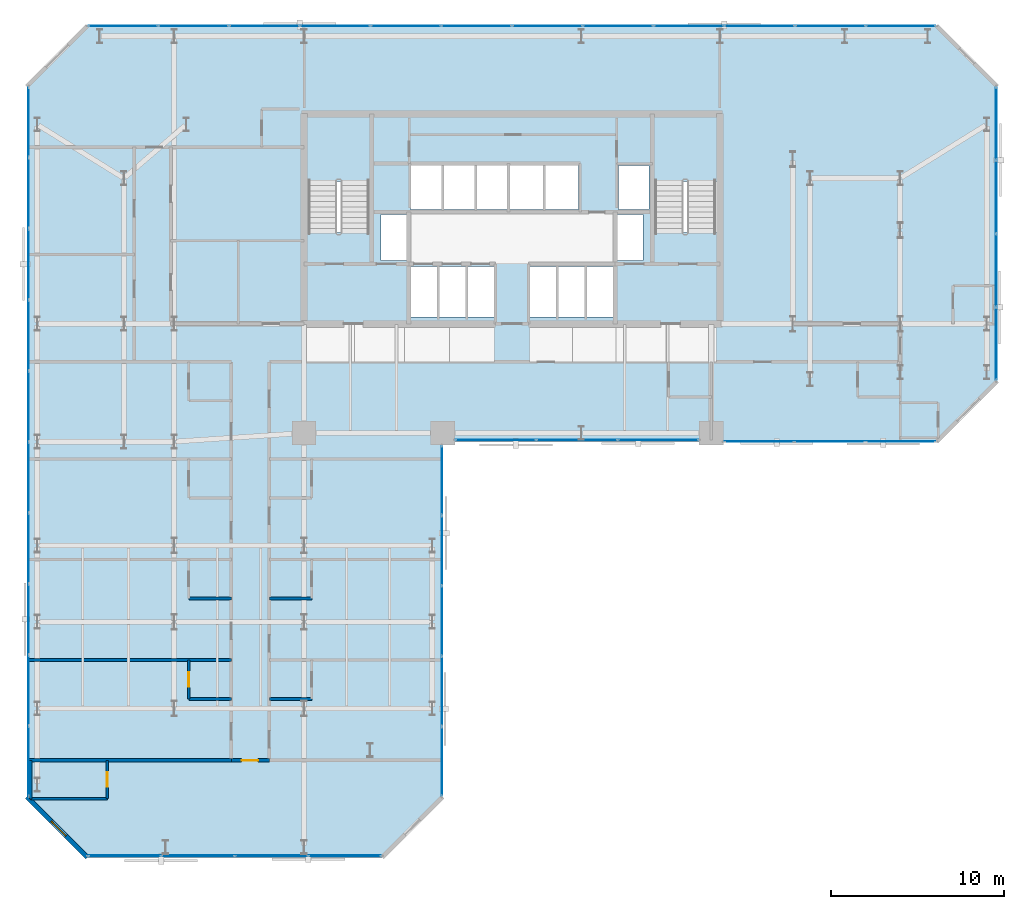
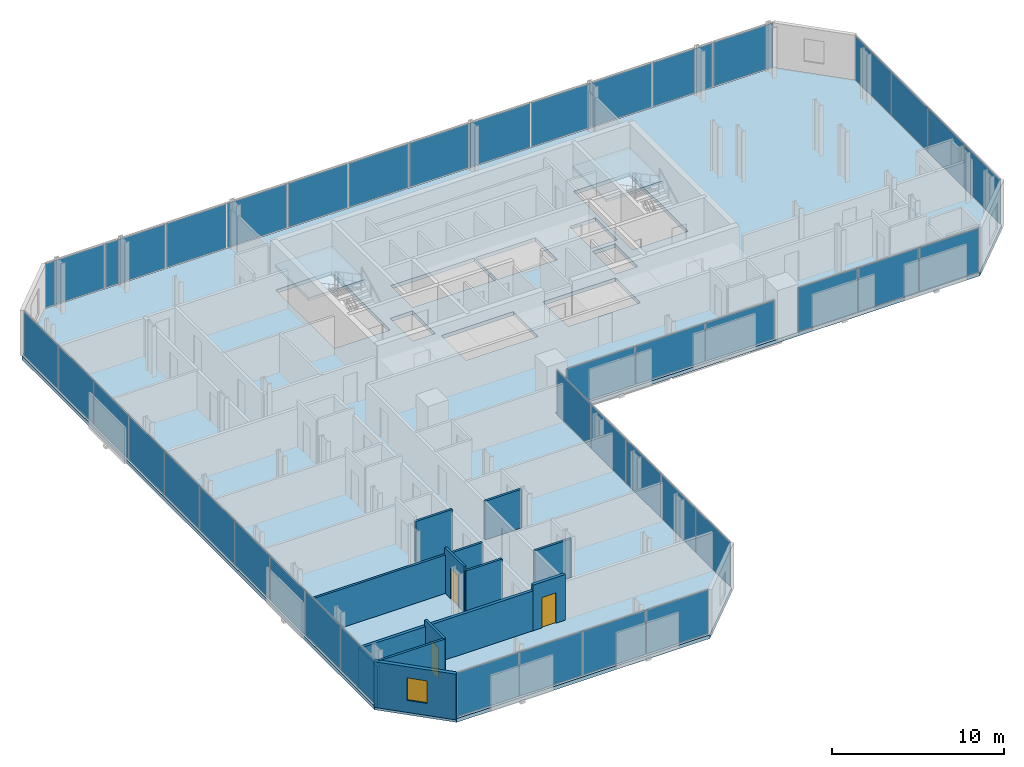
# One storey, part 28 of 33: 41 plates, 12 walls, 3 doors, 3 slabs, 1 window, 4 openings, 9 elements without a shape of their own.
"""IFC4 building model written with IfcOpenShell, lengths in metres."""

import ifcopenshell
import ifcopenshell.guid

model = None  # the IFC model being written
_history = None  # IfcOwnerHistory: only IFC2X3 demands one
_inside = {}  # id of a spatial element -> (the spatial element, [elements in it])
_under = {}  # id of a project, library or spatial element -> (it, [spatial elements below it])
_declared = {}  # id of a project -> (the project, [libraries it declares])
_typed = {}  # id of a type object -> (the type object, [elements of that type])
_made_of = {}  # id of a material, layer set ... -> (it, [elements and type objects made of it])


def new_model(schema):
    """Start an empty IFC model of exactly this schema.

    Asked for "IFC4X3", IfcOpenShell would pick the latest addendum, in which some entities
    have other attributes; the version numbers below select the first issue.
    IFC2X3 requires an IfcOwnerHistory on every rooted entity: one is made here for all.
    """
    global model, _history
    if schema == "IFC4X3":
        model = ifcopenshell.file(schema_version=(4, 3, 0, 0))
    else:
        model = ifcopenshell.file(schema=schema)
    _inside.clear()
    _under.clear()
    _declared.clear()
    _typed.clear()
    _made_of.clear()
    _history = None
    if model.schema == "IFC2X3":
        org = make("IfcOrganization", Name="unknown")
        user = make(
            "IfcPersonAndOrganization",
            ThePerson=make("IfcPerson", FamilyName="unknown"),
            TheOrganization=org,
        )
        app = make(
            "IfcApplication",
            ApplicationDeveloper=org,
            Version="unknown",
            ApplicationFullName="unknown",
            ApplicationIdentifier="unknown",
        )
        _history = make(
            "IfcOwnerHistory",
            OwningUser=user,
            OwningApplication=app,
            ChangeAction="ADDED",
            CreationDate=0,
        )
    return model


def make(cls, **values):
    """One entity of the class cls with the attributes given. An attribute that is None is left unset."""
    return model.create_entity(
        cls, **{name: value for name, value in values.items() if value is not None}
    )


def rooted(cls, **values):
    """An entity with a GlobalId (a new one), such as an element, a storey or a relation."""
    return make(cls, GlobalId=ifcopenshell.guid.new(), OwnerHistory=_history, **values)


def si_unit(unit_type, name, prefix=None):
    """IfcSIUnit, for example si_unit("LENGTHUNIT", "METRE", prefix="MILLI")."""
    return make("IfcSIUnit", UnitType=unit_type, Prefix=prefix, Name=name)


def assignment(units):
    """IfcUnitAssignment: the units of a project."""
    return None if units is None else make("IfcUnitAssignment", Units=units)


def point(xyz):
    """IfcCartesianPoint."""
    return None if xyz is None else make("IfcCartesianPoint", Coordinates=xyz)


def direction(xyz):
    """IfcDirection."""
    return None if xyz is None else make("IfcDirection", DirectionRatios=xyz)


def frame(location, z_axis=None, x_axis=None):
    """IfcAxis2Placement3D, a coordinate frame: its origin and axes. An axis left out is left unset."""
    return make(
        "IfcAxis2Placement3D",
        Location=point(location),
        Axis=direction(z_axis),
        RefDirection=direction(x_axis),
    )


def frame_2d(location, x_axis=None):
    """IfcAxis2Placement2D, a coordinate frame in the plane: its origin and x axis."""
    return make(
        "IfcAxis2Placement2D", Location=point(location), RefDirection=direction(x_axis)
    )


def origin():
    """The frame at (0, 0, 0) with its axes left unset."""
    return frame((0.0, 0.0, 0.0))


def origin_2d():
    """The frame at (0, 0) in the plane with its x axis left unset."""
    return frame_2d((0.0, 0.0))


def place(relative_to, where):
    """IfcLocalPlacement: puts the frame where relative to a parent placement (None: the world)."""
    return make(
        "IfcLocalPlacement", PlacementRelTo=relative_to, RelativePlacement=where
    )


def context(
    kind, dimensions, precision=None, world=None, true_north=None, identifier=None
):
    """IfcGeometricRepresentationContext, for example the 3D "Model" context."""
    return make(
        "IfcGeometricRepresentationContext",
        ContextIdentifier=identifier,
        ContextType=kind,
        CoordinateSpaceDimension=dimensions,
        Precision=precision,
        WorldCoordinateSystem=world,
        TrueNorth=true_north,
    )


def subcontext(parent, identifier, kind, view, scale=None):
    """IfcGeometricRepresentationSubContext, for example "Body" below "Model"."""
    return make(
        "IfcGeometricRepresentationSubContext",
        ContextIdentifier=identifier,
        ContextType=kind,
        ParentContext=parent,
        TargetScale=scale,
        TargetView=view,
    )


def project(units=None, contexts=None):
    """IfcProject with its units and contexts."""
    return rooted(
        "IfcProject",
        Name="project",
        RepresentationContexts=contexts,
        UnitsInContext=assignment(units),
    )


def spatial(cls, under=None, at=None, **own):
    """A site, building, storey or space (cls), placed at a placement, below another one or the project."""
    s = rooted(cls, ObjectPlacement=at, **own)
    if under is not None:
        _under.setdefault(under.id(), (under, []))[1].append(s)
    return s


def polyline(points):
    """IfcPolyline through the points."""
    return make("IfcPolyline", Points=[point(p) for p in points])


def profile(cls, at=None, kind="AREA", **sizes):
    """A parametric profile (cls). Its sizes go by their IFC names, for example OverallWidth=200.0."""
    return make(cls, ProfileType=kind, Position=at, **sizes)


def rectangle(**sizes):
    """IfcRectangleProfileDef."""
    return profile("IfcRectangleProfileDef", **sizes)


def outline(outer, holes=None, kind="AREA"):
    """IfcArbitraryClosedProfileDef: a profile drawn as a closed curve; with holes, ...WithVoids."""
    if holes is None:
        return make("IfcArbitraryClosedProfileDef", ProfileType=kind, OuterCurve=outer)
    return make(
        "IfcArbitraryProfileDefWithVoids",
        ProfileType=kind,
        OuterCurve=outer,
        InnerCurves=holes,
    )


def extrude(swept, where, along, depth):
    """IfcExtrudedAreaSolid: the profile swept, set in the frame where, extruded along a direction by depth."""
    return make(
        "IfcExtrudedAreaSolid",
        SweptArea=swept,
        Position=where,
        ExtrudedDirection=direction(along),
        Depth=depth,
    )


def shape(context_of_items, identifier, shape_type, items):
    """IfcShapeRepresentation: the items that make up one representation, for example the "Body"."""
    return make(
        "IfcShapeRepresentation",
        ContextOfItems=context_of_items,
        RepresentationIdentifier=identifier,
        RepresentationType=shape_type,
        Items=items,
    )


def material(Name=None, Category=None):
    """IfcMaterial."""
    return make("IfcMaterial", Name=Name, Category=Category)


def layer(
    of_material, thickness, ventilated=None, Name=None, Category=None, Priority=None
):
    """IfcMaterialLayer: one layer of a wall or slab, of a material (None: an air gap)."""
    return make(
        "IfcMaterialLayer",
        Material=of_material,
        LayerThickness=thickness,
        IsVentilated=ventilated,
        Name=Name,
        Category=Category,
        Priority=Priority,
    )


def layer_set(layers, Name=None):
    """IfcMaterialLayerSet."""
    return make("IfcMaterialLayerSet", MaterialLayers=layers, LayerSetName=Name)


def made_of(thing, what):
    """Note that an element or type object is made of a material, layer set ...; save() writes the relation."""
    if what is not None:
        _made_of.setdefault(what.id(), (what, []))[1].append(thing)
    return thing


def type_object(cls, material=None, **own):
    """A type object (cls), such as IfcWallType, which elements share."""
    return made_of(rooted(cls, **own), material)


def element(
    cls,
    number,
    at=None,
    inside=None,
    cuts=None,
    type_object=None,
    material=None,
    context=None,
    identifier="Body",
    shape_type=None,
    held_by="IfcProductDefinitionShape",
    body=None,
    shapes=None,
    **own,
):
    """One element of the class cls, such as IfcWall. Its Tag is "e" and its number.

    at: its placement. inside: the storey or other place that contains it. cuts: it is an
    opening in that element (IfcRelVoidsElement). A single representation is given by context,
    identifier, shape_type and body (its items); several are given by shapes. held_by: the class
    of the entity that holds the representations. save() writes the other relations.
    """
    e = rooted(cls, Tag="e%d" % number, ObjectPlacement=at, **own)
    if body is not None:
        shapes = [shape(context, identifier, shape_type, body)]
    if shapes is not None:
        e.Representation = make(held_by, Representations=shapes)
    if inside is not None:
        _inside.setdefault(inside.id(), (inside, []))[1].append(e)
    if cuts is not None:
        rooted(
            "IfcRelVoidsElement", RelatingBuildingElement=cuts, RelatedOpeningElement=e
        )
    if type_object is not None:
        _typed.setdefault(type_object.id(), (type_object, []))[1].append(e)
    return made_of(e, material)


def fill(opening, filler):
    """IfcRelFillsElement: the door or window that sits in an opening."""
    return rooted(
        "IfcRelFillsElement",
        RelatingOpeningElement=opening,
        RelatedBuildingElement=filler,
    )


def aggregate(whole, parts):
    """IfcRelAggregates: a whole, such as a stair, and the parts it consists of."""
    return rooted("IfcRelAggregates", RelatingObject=whole, RelatedObjects=parts)


def save(model, path):
    """Write the relations noted so far, then the file.

    IfcRelAggregates (storeys below a building ...), IfcRelContainedInSpatialStructure (elements
    in a storey), IfcRelDefinesByType, IfcRelAssociatesMaterial and IfcRelDeclares: one each for
    every whole, place, type object, material and project.
    """
    for whole, parts in _under.values():
        aggregate(whole, parts)
    for where, things in _inside.values():
        rooted(
            "IfcRelContainedInSpatialStructure",
            RelatedElements=things,
            RelatingStructure=where,
        )
    for kind, things in _typed.values():
        rooted("IfcRelDefinesByType", RelatedObjects=things, RelatingType=kind)
    for what, things in _made_of.values():
        rooted("IfcRelAssociatesMaterial", RelatedObjects=things, RelatingMaterial=what)
    for by, libraries in _declared.values():
        rooted("IfcRelDeclares", RelatingContext=by, RelatedDefinitions=libraries)
    model.write(path)


model = new_model("IFC4")

# Units and contexts
model_context = context("Model", 3, precision=1e-05, world=origin(), true_north=direction((0.0, 1.0)))
body_context = subcontext(model_context, "Body", "Model", "MODEL_VIEW")
ifc_project = project(units=[si_unit("LENGTHUNIT", "METRE"), si_unit("AREAUNIT", "SQUARE_METRE"), si_unit("VOLUMEUNIT", "CUBIC_METRE"), si_unit("PLANEANGLEUNIT", "RADIAN"), si_unit("MASSUNIT", "GRAM", prefix="KILO")], contexts=[model_context])

# Site, building, storey
site_placement = place(None, origin())
site = spatial("IfcSite", under=ifc_project, at=site_placement, CompositionType="ELEMENT")
building_placement = place(site_placement, origin())
building = spatial("IfcBuilding", under=site, at=building_placement, Name="Catumbela Crestline Tower", CompositionType="ELEMENT")
storey_placement = place(building_placement, frame((0.0, 0.0, 76.2)))
storey = spatial("IfcBuildingStorey", under=building, at=storey_placement, Name="L19", CompositionType="ELEMENT", Elevation=76.2)

# Curtain wall, plates
ifc_material_1 = material(Name="Aluminium alloy AW-6060-T66", Category="aluminium")
ifc_layer_1 = layer(ifc_material_1, 0.18, Name="Aluminium alloy AW-6060-T66")
ifc_layer_set_1 = layer_set([ifc_layer_1], Name="Aluminium alloy AW-6060-T66")
curtain_wall_type = type_object("IfcCurtainWallType", Name="CWU-Z1", PredefinedType="USERDEFINED", material=ifc_layer_set_1)
curtain_wall_1_placement = place(storey_placement, origin())
curtain_wall_1 = element("IfcCurtainWall", 1, at=curtain_wall_1_placement, inside=storey, type_object=curtain_wall_type, Name="L19 Unitised Curtain Wall CW-L19-E0S1", ObjectType="UNITISED", PredefinedType="USERDEFINED")
ifc_material_2 = material(Name="Low-E laminated solar-control double glazing", Category="glass")
ifc_layer_2 = layer(ifc_material_2, 0.034, Name="Low-E laminated solar-control double glazing")
ifc_layer_set_2 = layer_set([ifc_layer_2], Name="Low-E laminated solar-control double glazing")
plate_type = type_object("IfcPlateType", Name="PNL-GLZ-Z1", PredefinedType="CURTAIN_PANEL", material=ifc_layer_set_2)
plate_1_placement = place(storey_placement, frame((5.6412, 0.1, 0.06), z_axis=(0.0, 0.0, 1.0), x_axis=(1.0, 0.0, 0.0)))
plate_1 = element("IfcPlate", 2, at=plate_1_placement, type_object=plate_type, Name="CWU-Z1 panel 1.1", PredefinedType="CURTAIN_PANEL", context=body_context, shape_type="SweptSolid", body=[
    extrude(rectangle(XDim=4.1525, YDim=0.034, at=origin_2d()), origin(), (0.0, 0.0, 1.0), 3.12),
])
plate_2_placement = place(storey_placement, frame((9.875, 0.1, 0.06), z_axis=(0.0, 0.0, 1.0), x_axis=(1.0, 0.0, 0.0)))
plate_2 = element("IfcPlate", 3, at=plate_2_placement, type_object=plate_type, Name="CWU-Z1 panel 2.1", PredefinedType="CURTAIN_PANEL", context=body_context, shape_type="SweptSolid", body=[
    extrude(rectangle(XDim=4.185, YDim=0.034, at=origin_2d()), origin(), (0.0, 0.0, 1.0), 3.12),
])
plate_3_placement = place(storey_placement, frame((14.125, 0.1, 0.06), z_axis=(0.0, 0.0, 1.0), x_axis=(1.0, 0.0, 0.0)))
plate_3 = element("IfcPlate", 4, at=plate_3_placement, type_object=plate_type, Name="CWU-Z1 panel 3.1", PredefinedType="CURTAIN_PANEL", context=body_context, shape_type="SweptSolid", body=[
    extrude(rectangle(XDim=4.185, YDim=0.034, at=origin_2d()), origin(), (0.0, 0.0, 1.0), 3.12),
])
plate_4_placement = place(storey_placement, frame((18.3588, 0.1, 0.06), z_axis=(0.0, 0.0, 1.0), x_axis=(1.0, 0.0, 0.0)))
plate_4 = element("IfcPlate", 5, at=plate_4_placement, type_object=plate_type, Name="CWU-Z1 panel 4.1", PredefinedType="CURTAIN_PANEL", context=body_context, shape_type="SweptSolid", body=[
    extrude(rectangle(XDim=4.1525, YDim=0.034, at=origin_2d()), origin(), (0.0, 0.0, 1.0), 3.12),
])
aggregate(curtain_wall_1, [plate_1, plate_2, plate_3, plate_4])

curtain_wall_2_placement = place(storey_placement, origin())
curtain_wall_2 = element("IfcCurtainWall", 6, at=curtain_wall_2_placement, inside=storey, type_object=curtain_wall_type, Name="L19 Unitised Curtain Wall CW-L19-E2S1", ObjectType="UNITISED", PredefinedType="USERDEFINED")
plate_5_placement = place(storey_placement, frame((23.95, 5.5462, 0.06), z_axis=(0.0, 0.0, 1.0), x_axis=(0.0, 1.0, 0.0)))
plate_5 = element("IfcPlate", 7, at=plate_5_placement, type_object=plate_type, Name="CWU-Z1 panel 1.1", PredefinedType="CURTAIN_PANEL", context=body_context, shape_type="SweptSolid", body=[
    extrude(rectangle(XDim=3.9625, YDim=0.034, at=origin_2d()), origin(), (0.0, 0.0, 1.0), 3.12),
])
plate_6_placement = place(storey_placement, frame((23.95, 9.59, 0.06), z_axis=(0.0, 0.0, 1.0), x_axis=(0.0, 1.0, 0.0)))
plate_6 = element("IfcPlate", 8, at=plate_6_placement, type_object=plate_type, Name="CWU-Z1 panel 2.1", PredefinedType="CURTAIN_PANEL", context=body_context, shape_type="SweptSolid", body=[
    extrude(rectangle(XDim=3.995, YDim=0.034, at=origin_2d()), origin(), (0.0, 0.0, 1.0), 3.12),
])
plate_7_placement = place(storey_placement, frame((23.95, 13.65, 0.06), z_axis=(0.0, 0.0, 1.0), x_axis=(0.0, 1.0, 0.0)))
plate_7 = element("IfcPlate", 9, at=plate_7_placement, type_object=plate_type, Name="CWU-Z1 panel 3.1", PredefinedType="CURTAIN_PANEL", context=body_context, shape_type="SweptSolid", body=[
    extrude(rectangle(XDim=3.995, YDim=0.034, at=origin_2d()), origin(), (0.0, 0.0, 1.0), 3.12),
])
plate_8_placement = place(storey_placement, frame((23.95, 17.71, 0.06), z_axis=(0.0, 0.0, 1.0), x_axis=(0.0, 1.0, 0.0)))
plate_8 = element("IfcPlate", 10, at=plate_8_placement, type_object=plate_type, Name="CWU-Z1 panel 4.1", PredefinedType="CURTAIN_PANEL", context=body_context, shape_type="SweptSolid", body=[
    extrude(rectangle(XDim=3.995, YDim=0.034, at=origin_2d()), origin(), (0.0, 0.0, 1.0), 3.12),
])
plate_9_placement = place(storey_placement, frame((23.95, 21.7538, 0.06), z_axis=(0.0, 0.0, 1.0), x_axis=(0.0, 1.0, 0.0)))
plate_9 = element("IfcPlate", 11, at=plate_9_placement, type_object=plate_type, Name="CWU-Z1 panel 5.1", PredefinedType="CURTAIN_PANEL", context=body_context, shape_type="SweptSolid", body=[
    extrude(rectangle(XDim=3.9625, YDim=0.034, at=origin_2d()), origin(), (0.0, 0.0, 1.0), 3.12),
])
aggregate(curtain_wall_2, [plate_5, plate_6, plate_7, plate_8, plate_9])

curtain_wall_3_placement = place(storey_placement, origin())
curtain_wall_3 = element("IfcCurtainWall", 12, at=curtain_wall_3_placement, inside=storey, type_object=curtain_wall_type, Name="L19 Unitised Curtain Wall CW-L19-E3S1", ObjectType="UNITISED", PredefinedType="USERDEFINED")
plate_10_placement = place(storey_placement, frame((27.0662, 24.1, 0.06), z_axis=(0.0, 0.0, 1.0), x_axis=(1.0, 0.0, 0.0)))
plate_10 = element("IfcPlate", 13, at=plate_10_placement, type_object=plate_type, Name="CWU-Z1 panel 1.1", PredefinedType="CURTAIN_PANEL", context=body_context, shape_type="SweptSolid", body=[
    extrude(rectangle(XDim=4.6025, YDim=0.034, at=origin_2d()), origin(), (0.0, 0.0, 1.0), 2.71),
])
plate_11_placement = place(storey_placement, frame((31.75, 24.1, 0.06), z_axis=(0.0, 0.0, 1.0), x_axis=(1.0, 0.0, 0.0)))
plate_11 = element("IfcPlate", 14, at=plate_11_placement, type_object=plate_type, Name="CWU-Z1 panel 2.1", PredefinedType="CURTAIN_PANEL", context=body_context, shape_type="SweptSolid", body=[
    extrude(rectangle(XDim=4.635, YDim=0.034, at=origin_2d()), origin(), (0.0, 0.0, 1.0), 2.71),
])
plate_12_placement = place(storey_placement, frame((36.4338, 24.1, 0.06), z_axis=(0.0, 0.0, 1.0), x_axis=(1.0, 0.0, 0.0)))
plate_12 = element("IfcPlate", 15, at=plate_12_placement, type_object=plate_type, Name="CWU-Z1 panel 3.1", PredefinedType="CURTAIN_PANEL", context=body_context, shape_type="SweptSolid", body=[
    extrude(rectangle(XDim=4.6025, YDim=0.034, at=origin_2d()), origin(), (0.0, 0.0, 1.0), 2.71),
])
aggregate(curtain_wall_3, [plate_10, plate_11, plate_12])

curtain_wall_4_placement = place(storey_placement, origin())
curtain_wall_4 = element("IfcCurtainWall", 16, at=curtain_wall_4_placement, inside=storey, type_object=curtain_wall_type, Name="L19 Unitised Curtain Wall CW-L19-E3S2", ObjectType="UNITISED", PredefinedType="USERDEFINED")
plate_13_placement = place(storey_placement, frame((42.2662, 24.0, 0.06), z_axis=(0.0, 0.0, 1.0), x_axis=(1.0, 0.0, 0.0)))
plate_13 = element("IfcPlate", 17, at=plate_13_placement, type_object=plate_type, Name="CWU-Z1 panel 1.1", PredefinedType="CURTAIN_PANEL", context=body_context, shape_type="SweptSolid", body=[
    extrude(rectangle(XDim=4.0025, YDim=0.034, at=origin_2d()), origin(), (0.0, 0.0, 1.0), 3.12),
])
plate_14_placement = place(storey_placement, frame((46.35, 24.0, 0.06), z_axis=(0.0, 0.0, 1.0), x_axis=(1.0, 0.0, 0.0)))
plate_14 = element("IfcPlate", 18, at=plate_14_placement, type_object=plate_type, Name="CWU-Z1 panel 2.1", PredefinedType="CURTAIN_PANEL", context=body_context, shape_type="SweptSolid", body=[
    extrude(rectangle(XDim=4.035, YDim=0.034, at=origin_2d()), origin(), (0.0, 0.0, 1.0), 3.12),
])
plate_15_placement = place(storey_placement, frame((50.4338, 24.0, 0.06), z_axis=(0.0, 0.0, 1.0), x_axis=(1.0, 0.0, 0.0)))
plate_15 = element("IfcPlate", 19, at=plate_15_placement, type_object=plate_type, Name="CWU-Z1 panel 3.1", PredefinedType="CURTAIN_PANEL", context=body_context, shape_type="SweptSolid", body=[
    extrude(rectangle(XDim=4.0025, YDim=0.034, at=origin_2d()), origin(), (0.0, 0.0, 1.0), 3.12),
])
aggregate(curtain_wall_4, [plate_13, plate_14, plate_15])

curtain_wall_5_placement = place(storey_placement, origin())
curtain_wall_5 = element("IfcCurtainWall", 20, at=curtain_wall_5_placement, inside=storey, type_object=curtain_wall_type, Name="L19 Unitised Curtain Wall CW-L19-E5S1", ObjectType="UNITISED", PredefinedType="USERDEFINED")
plate_16_placement = place(storey_placement, frame((55.95, 29.6412, 0.06), z_axis=(0.0, 0.0, 1.0), x_axis=(0.0, 1.0, 0.0)))
plate_16 = element("IfcPlate", 21, at=plate_16_placement, type_object=plate_type, Name="CWU-Z1 panel 1.1", PredefinedType="CURTAIN_PANEL", context=body_context, shape_type="SweptSolid", body=[
    extrude(rectangle(XDim=4.1525, YDim=0.034, at=origin_2d()), origin(), (0.0, 0.0, 1.0), 3.12),
])
plate_17_placement = place(storey_placement, frame((55.95, 33.875, 0.06), z_axis=(0.0, 0.0, 1.0), x_axis=(0.0, 1.0, 0.0)))
plate_17 = element("IfcPlate", 22, at=plate_17_placement, type_object=plate_type, Name="CWU-Z1 panel 2.1", PredefinedType="CURTAIN_PANEL", context=body_context, shape_type="SweptSolid", body=[
    extrude(rectangle(XDim=4.185, YDim=0.034, at=origin_2d()), origin(), (0.0, 0.0, 1.0), 3.12),
])
plate_18_placement = place(storey_placement, frame((55.95, 38.125, 0.06), z_axis=(0.0, 0.0, 1.0), x_axis=(0.0, 1.0, 0.0)))
plate_18 = element("IfcPlate", 23, at=plate_18_placement, type_object=plate_type, Name="CWU-Z1 panel 3.1", PredefinedType="CURTAIN_PANEL", context=body_context, shape_type="SweptSolid", body=[
    extrude(rectangle(XDim=4.185, YDim=0.034, at=origin_2d()), origin(), (0.0, 0.0, 1.0), 3.12),
])
plate_19_placement = place(storey_placement, frame((55.95, 42.3588, 0.06), z_axis=(0.0, 0.0, 1.0), x_axis=(0.0, 1.0, 0.0)))
plate_19 = element("IfcPlate", 24, at=plate_19_placement, type_object=plate_type, Name="CWU-Z1 panel 4.1", PredefinedType="CURTAIN_PANEL", context=body_context, shape_type="SweptSolid", body=[
    extrude(rectangle(XDim=4.1525, YDim=0.034, at=origin_2d()), origin(), (0.0, 0.0, 1.0), 3.12),
])
aggregate(curtain_wall_5, [plate_16, plate_17, plate_18, plate_19])

curtain_wall_6_placement = place(storey_placement, origin())
curtain_wall_6 = element("IfcCurtainWall", 25, at=curtain_wall_6_placement, inside=storey, type_object=curtain_wall_type, Name="L19 Unitised Curtain Wall CW-L19-E7S1", ObjectType="UNITISED", PredefinedType="USERDEFINED")
plate_20_placement = place(storey_placement, frame((50.4421, 48.0, 0.06), z_axis=(0.0, 0.0, 1.0), x_axis=(-1.0, 0.0, 0.0)))
plate_20 = element("IfcPlate", 26, at=plate_20_placement, type_object=plate_type, Name="CWU-Z1 panel 1.1", PredefinedType="CURTAIN_PANEL", context=body_context, shape_type="SweptSolid", body=[
    extrude(rectangle(XDim=3.9858, YDim=0.034, at=origin_2d()), origin(), (0.0, 0.0, 1.0), 3.12),
])
plate_21_placement = place(storey_placement, frame((46.375, 48.0, 0.06), z_axis=(0.0, 0.0, 1.0), x_axis=(-1.0, 0.0, 0.0)))
plate_21 = element("IfcPlate", 27, at=plate_21_placement, type_object=plate_type, Name="CWU-Z1 panel 2.1", PredefinedType="CURTAIN_PANEL", context=body_context, shape_type="SweptSolid", body=[
    extrude(rectangle(XDim=4.0183, YDim=0.034, at=origin_2d()), origin(), (0.0, 0.0, 1.0), 3.12),
])
plate_22_placement = place(storey_placement, frame((42.2917, 48.0, 0.06), z_axis=(0.0, 0.0, 1.0), x_axis=(-1.0, 0.0, 0.0)))
plate_22 = element("IfcPlate", 28, at=plate_22_placement, type_object=plate_type, Name="CWU-Z1 panel 3.1", PredefinedType="CURTAIN_PANEL", context=body_context, shape_type="SweptSolid", body=[
    extrude(rectangle(XDim=4.0183, YDim=0.034, at=origin_2d()), origin(), (0.0, 0.0, 1.0), 3.12),
])
plate_23_placement = place(storey_placement, frame((38.2083, 48.0, 0.06), z_axis=(0.0, 0.0, 1.0), x_axis=(-1.0, 0.0, 0.0)))
plate_23 = element("IfcPlate", 29, at=plate_23_placement, type_object=plate_type, Name="CWU-Z1 panel 4.1", PredefinedType="CURTAIN_PANEL", context=body_context, shape_type="SweptSolid", body=[
    extrude(rectangle(XDim=4.0183, YDim=0.034, at=origin_2d()), origin(), (0.0, 0.0, 1.0), 3.12),
])
plate_24_placement = place(storey_placement, frame((34.125, 48.0, 0.06), z_axis=(0.0, 0.0, 1.0), x_axis=(-1.0, 0.0, 0.0)))
plate_24 = element("IfcPlate", 30, at=plate_24_placement, type_object=plate_type, Name="CWU-Z1 panel 5.1", PredefinedType="CURTAIN_PANEL", context=body_context, shape_type="SweptSolid", body=[
    extrude(rectangle(XDim=4.0183, YDim=0.034, at=origin_2d()), origin(), (0.0, 0.0, 1.0), 3.12),
])
plate_25_placement = place(storey_placement, frame((30.0417, 48.0, 0.06), z_axis=(0.0, 0.0, 1.0), x_axis=(-1.0, 0.0, 0.0)))
plate_25 = element("IfcPlate", 31, at=plate_25_placement, type_object=plate_type, Name="CWU-Z1 panel 6.1", PredefinedType="CURTAIN_PANEL", context=body_context, shape_type="SweptSolid", body=[
    extrude(rectangle(XDim=4.0183, YDim=0.034, at=origin_2d()), origin(), (0.0, 0.0, 1.0), 3.12),
])
plate_26_placement = place(storey_placement, frame((25.9583, 48.0, 0.06), z_axis=(0.0, 0.0, 1.0), x_axis=(-1.0, 0.0, 0.0)))
plate_26 = element("IfcPlate", 32, at=plate_26_placement, type_object=plate_type, Name="CWU-Z1 panel 7.1", PredefinedType="CURTAIN_PANEL", context=body_context, shape_type="SweptSolid", body=[
    extrude(rectangle(XDim=4.0183, YDim=0.034, at=origin_2d()), origin(), (0.0, 0.0, 1.0), 3.12),
])
plate_27_placement = place(storey_placement, frame((21.875, 48.0, 0.06), z_axis=(0.0, 0.0, 1.0), x_axis=(-1.0, 0.0, 0.0)))
plate_27 = element("IfcPlate", 33, at=plate_27_placement, type_object=plate_type, Name="CWU-Z1 panel 8.1", PredefinedType="CURTAIN_PANEL", context=body_context, shape_type="SweptSolid", body=[
    extrude(rectangle(XDim=4.0183, YDim=0.034, at=origin_2d()), origin(), (0.0, 0.0, 1.0), 3.12),
])
plate_28_placement = place(storey_placement, frame((17.7917, 48.0, 0.06), z_axis=(0.0, 0.0, 1.0), x_axis=(-1.0, 0.0, 0.0)))
plate_28 = element("IfcPlate", 34, at=plate_28_placement, type_object=plate_type, Name="CWU-Z1 panel 9.1", PredefinedType="CURTAIN_PANEL", context=body_context, shape_type="SweptSolid", body=[
    extrude(rectangle(XDim=4.0183, YDim=0.034, at=origin_2d()), origin(), (0.0, 0.0, 1.0), 3.12),
])
plate_29_placement = place(storey_placement, frame((13.7083, 48.0, 0.06), z_axis=(0.0, 0.0, 1.0), x_axis=(-1.0, 0.0, 0.0)))
plate_29 = element("IfcPlate", 35, at=plate_29_placement, type_object=plate_type, Name="CWU-Z1 panel 10.1", PredefinedType="CURTAIN_PANEL", context=body_context, shape_type="SweptSolid", body=[
    extrude(rectangle(XDim=4.0183, YDim=0.034, at=origin_2d()), origin(), (0.0, 0.0, 1.0), 3.12),
])
plate_30_placement = place(storey_placement, frame((9.625, 48.0, 0.06), z_axis=(0.0, 0.0, 1.0), x_axis=(-1.0, 0.0, 0.0)))
plate_30 = element("IfcPlate", 36, at=plate_30_placement, type_object=plate_type, Name="CWU-Z1 panel 11.1", PredefinedType="CURTAIN_PANEL", context=body_context, shape_type="SweptSolid", body=[
    extrude(rectangle(XDim=4.0183, YDim=0.034, at=origin_2d()), origin(), (0.0, 0.0, 1.0), 3.12),
])
plate_31_placement = place(storey_placement, frame((5.5579, 48.0, 0.06), z_axis=(0.0, 0.0, 1.0), x_axis=(-1.0, 0.0, 0.0)))
plate_31 = element("IfcPlate", 37, at=plate_31_placement, type_object=plate_type, Name="CWU-Z1 panel 12.1", PredefinedType="CURTAIN_PANEL", context=body_context, shape_type="SweptSolid", body=[
    extrude(rectangle(XDim=3.9858, YDim=0.034, at=origin_2d()), origin(), (0.0, 0.0, 1.0), 3.12),
])
aggregate(curtain_wall_6, [plate_20, plate_21, plate_22, plate_23, plate_24, plate_25, plate_26, plate_27, plate_28, plate_29, plate_30, plate_31])

curtain_wall_7_placement = place(storey_placement, origin())
curtain_wall_7 = element("IfcCurtainWall", 38, at=curtain_wall_7_placement, inside=storey, type_object=curtain_wall_type, Name="L19 Unitised Curtain Wall CW-L19-E9S1", ObjectType="UNITISED", PredefinedType="USERDEFINED")
plate_32_placement = place(storey_placement, frame((0.1, 42.4338, 0.06), z_axis=(0.0, 0.0, 1.0), x_axis=(0.0, -1.0, 0.0)))
plate_32 = element("IfcPlate", 39, at=plate_32_placement, type_object=plate_type, Name="CWU-Z1 panel 1.1", PredefinedType="CURTAIN_PANEL", context=body_context, shape_type="SweptSolid", body=[
    extrude(rectangle(XDim=4.0025, YDim=0.034, at=origin_2d()), origin(), (0.0, 0.0, 1.0), 3.12),
])
plate_33_placement = place(storey_placement, frame((0.1, 38.35, 0.06), z_axis=(0.0, 0.0, 1.0), x_axis=(0.0, -1.0, 0.0)))
plate_33 = element("IfcPlate", 40, at=plate_33_placement, type_object=plate_type, Name="CWU-Z1 panel 2.1", PredefinedType="CURTAIN_PANEL", context=body_context, shape_type="SweptSolid", body=[
    extrude(rectangle(XDim=4.035, YDim=0.034, at=origin_2d()), origin(), (0.0, 0.0, 1.0), 3.12),
])
plate_34_placement = place(storey_placement, frame((0.1, 34.25, 0.06), z_axis=(0.0, 0.0, 1.0), x_axis=(0.0, -1.0, 0.0)))
plate_34 = element("IfcPlate", 41, at=plate_34_placement, type_object=plate_type, Name="CWU-Z1 panel 3.1", PredefinedType="CURTAIN_PANEL", context=body_context, shape_type="SweptSolid", body=[
    extrude(rectangle(XDim=4.035, YDim=0.034, at=origin_2d()), origin(), (0.0, 0.0, 1.0), 3.12),
])
plate_35_placement = place(storey_placement, frame((0.1, 30.15, 0.06), z_axis=(0.0, 0.0, 1.0), x_axis=(0.0, -1.0, 0.0)))
plate_35 = element("IfcPlate", 42, at=plate_35_placement, type_object=plate_type, Name="CWU-Z1 panel 4.1", PredefinedType="CURTAIN_PANEL", context=body_context, shape_type="SweptSolid", body=[
    extrude(rectangle(XDim=4.035, YDim=0.034, at=origin_2d()), origin(), (0.0, 0.0, 1.0), 3.12),
])
plate_36_placement = place(storey_placement, frame((0.1, 26.05, 0.06), z_axis=(0.0, 0.0, 1.0), x_axis=(0.0, -1.0, 0.0)))
plate_36 = element("IfcPlate", 43, at=plate_36_placement, type_object=plate_type, Name="CWU-Z1 panel 5.1", PredefinedType="CURTAIN_PANEL", context=body_context, shape_type="SweptSolid", body=[
    extrude(rectangle(XDim=4.035, YDim=0.034, at=origin_2d()), origin(), (0.0, 0.0, 1.0), 3.12),
])
plate_37_placement = place(storey_placement, frame((0.1, 21.95, 0.06), z_axis=(0.0, 0.0, 1.0), x_axis=(0.0, -1.0, 0.0)))
plate_37 = element("IfcPlate", 44, at=plate_37_placement, type_object=plate_type, Name="CWU-Z1 panel 6.1", PredefinedType="CURTAIN_PANEL", context=body_context, shape_type="SweptSolid", body=[
    extrude(rectangle(XDim=4.035, YDim=0.034, at=origin_2d()), origin(), (0.0, 0.0, 1.0), 3.12),
])
plate_38_placement = place(storey_placement, frame((0.1, 17.85, 0.06), z_axis=(0.0, 0.0, 1.0), x_axis=(0.0, -1.0, 0.0)))
plate_38 = element("IfcPlate", 45, at=plate_38_placement, type_object=plate_type, Name="CWU-Z1 panel 7.1", PredefinedType="CURTAIN_PANEL", context=body_context, shape_type="SweptSolid", body=[
    extrude(rectangle(XDim=4.035, YDim=0.034, at=origin_2d()), origin(), (0.0, 0.0, 1.0), 3.12),
])
plate_39_placement = place(storey_placement, frame((0.1, 13.75, 0.06), z_axis=(0.0, 0.0, 1.0), x_axis=(0.0, -1.0, 0.0)))
plate_39 = element("IfcPlate", 46, at=plate_39_placement, type_object=plate_type, Name="CWU-Z1 panel 8.1", PredefinedType="CURTAIN_PANEL", context=body_context, shape_type="SweptSolid", body=[
    extrude(rectangle(XDim=4.035, YDim=0.034, at=origin_2d()), origin(), (0.0, 0.0, 1.0), 3.12),
])
plate_40_placement = place(storey_placement, frame((0.1, 9.65, 0.06), z_axis=(0.0, 0.0, 1.0), x_axis=(0.0, -1.0, 0.0)))
plate_40 = element("IfcPlate", 47, at=plate_40_placement, type_object=plate_type, Name="CWU-Z1 panel 9.1", PredefinedType="CURTAIN_PANEL", context=body_context, shape_type="SweptSolid", body=[
    extrude(rectangle(XDim=4.035, YDim=0.034, at=origin_2d()), origin(), (0.0, 0.0, 1.0), 3.12),
])
plate_41_placement = place(storey_placement, frame((0.1, 5.5662, 0.06), z_axis=(0.0, 0.0, 1.0), x_axis=(0.0, -1.0, 0.0)))
plate_41 = element("IfcPlate", 48, at=plate_41_placement, type_object=plate_type, Name="CWU-Z1 panel 10.1", PredefinedType="CURTAIN_PANEL", context=body_context, shape_type="SweptSolid", body=[
    extrude(rectangle(XDim=4.0025, YDim=0.034, at=origin_2d()), origin(), (0.0, 0.0, 1.0), 3.12),
])
aggregate(curtain_wall_7, [plate_32, plate_33, plate_34, plate_35, plate_36, plate_37, plate_38, plate_39, plate_40, plate_41])

# Stair, slab
ifc_material_3 = material(Name="Concrete C45/55", Category="concrete")
stair_type = type_object("IfcStairType", Name="ST-DLG", PredefinedType="HALF_TURN_STAIR", material=ifc_material_3)
stair_1_placement = place(storey_placement, origin())
stair_1 = element("IfcStair", 49, at=stair_1_placement, inside=storey, type_object=stair_type, Name="L19 West Core Pressurised Exit Stair ST-01", PredefinedType="HALF_TURN_STAIR")
ifc_layer_3 = layer(ifc_material_3, 0.2, Name="Concrete C45/55")
ifc_layer_set_3 = layer_set([ifc_layer_3], Name="Concrete C45/55")
slab_type_1 = type_object("IfcSlabType", Name="SL-LND", PredefinedType="LANDING", material=ifc_layer_set_3)
slab_1_placement = place(storey_placement, frame((0.0, 0.0, 1.6)))
slab_1 = element("IfcSlab", 50, at=slab_1_placement, type_object=slab_type_1, Name="ST-01 landing 1", PredefinedType="LANDING", context=body_context, shape_type="SweptSolid", body=[
    extrude(outline(polyline([(19.91, 39.02), (19.91, 42.96), (16.09, 42.96), (16.09, 39.02), (19.91, 39.02)])), origin(), (0.0, 0.0, 1.0), 0.2),
])
aggregate(stair_1, [slab_1])

stair_2_placement = place(storey_placement, origin())
stair_2 = element("IfcStair", 51, at=stair_2_placement, inside=storey, type_object=stair_type, Name="L19 East Core Pressurised Exit Stair ST-02", PredefinedType="HALF_TURN_STAIR")
slab_2_placement = place(storey_placement, frame((0.0, 0.0, 1.6)))
slab_2 = element("IfcSlab", 52, at=slab_2_placement, type_object=slab_type_1, Name="ST-02 landing 1", PredefinedType="LANDING", context=body_context, shape_type="SweptSolid", body=[
    extrude(outline(polyline([(39.91, 39.02), (39.91, 42.96), (36.09, 42.96), (36.09, 39.02), (39.91, 39.02)])), origin(), (0.0, 0.0, 1.0), 0.2),
])
aggregate(stair_2, [slab_2])

# Slab
ifc_layer_4 = layer(ifc_material_3, 0.26, Name="Concrete C45/55")
ifc_layer_set_4 = layer_set([ifc_layer_4], Name="Concrete C45/55")
slab_type_2 = type_object("IfcSlabType", Name="SL-260", PredefinedType="FLOOR", material=ifc_layer_set_4)
slab_3_placement = place(storey_placement, frame((0.0, 0.0, -0.26)))
element("IfcSlab", 53, at=slab_3_placement, inside=storey, type_object=slab_type_2, Name="L19 Structural Floor Slab", PredefinedType="FLOOR", context=body_context, shape_type="SweptSolid", body=[
    extrude(outline(polyline([(3.5, 0.0), (20.5, 0.0), (24.0, 3.5), (24.0, 24.0), (52.5, 24.0), (56.0, 27.5), (56.0, 44.5), (52.5, 48.0), (3.5, 48.0), (0.0, 44.5), (0.0, 3.5), (3.5, 0.0)]), holes=[polyline([(16.13, 36.08), (19.87, 36.08), (19.87, 42.92), (16.13, 42.92), (16.13, 36.08)]), polyline([(36.13, 36.08), (39.87, 36.08), (39.87, 42.92), (36.13, 42.92), (36.13, 36.08)]), polyline([(22.15, 31.2), (27.0, 31.2), (27.0, 34.1), (22.15, 34.1), (22.15, 31.2)]), polyline([(29.0, 31.2), (33.85, 31.2), (33.85, 34.1), (29.0, 34.1), (29.0, 31.2)]), polyline([(22.15, 37.4), (27.75, 37.4), (27.75, 39.95), (22.15, 39.95), (22.15, 37.4)]), polyline([(27.85, 37.4), (31.85, 37.4), (31.85, 39.95), (27.85, 39.95), (27.85, 37.4)]), polyline([(20.45, 34.45), (21.95, 34.45), (21.95, 37.1), (20.45, 37.1), (20.45, 34.45)]), polyline([(34.05, 34.45), (35.55, 34.45), (35.55, 37.1), (34.05, 37.1), (34.05, 34.45)]), polyline([(34.15, 37.4), (35.9, 37.4), (35.9, 39.95), (34.15, 39.95), (34.15, 37.4)])]), origin(), (0.0, 0.0, 1.0), 0.26),
])

# Wall, opening, door
ifc_material_4 = material(Name="Acoustic gypsum and mineral-wool partition")
ifc_layer_5 = layer(ifc_material_4, 0.2, Name="Acoustic gypsum and mineral-wool partition")
ifc_layer_set_5 = layer_set([ifc_layer_5], Name="Acoustic gypsum and mineral-wool partition")
wall_type_1 = type_object("IfcWallType", Name="WC-200", PredefinedType="PARTITIONING", material=ifc_layer_set_5)
wall_1_placement = place(storey_placement, frame((11.8, 5.6, 0.0), z_axis=(0.0, 0.0, 1.0), x_axis=(1.0, 0.0, 0.0)))
wall_1 = element("IfcWall", 54, at=wall_1_placement, inside=storey, type_object=wall_type_1, Name="L19 Interior Partition PW-L19-WTIP-ENT", PredefinedType="PARTITIONING", context=body_context, shape_type="SweptSolid", body=[
    extrude(rectangle(XDim=2.2, YDim=0.2, at=frame_2d((1.1, 0.0))), origin(), (0.0, 0.0, 1.0), 3.24),
])
opening_1_placement = place(wall_1_placement, frame((0.5925, 0.0, 0.0)))
opening_1 = element("IfcOpeningElement", 55, at=opening_1_placement, cuts=wall_1, Name="Opening DF6-095", PredefinedType="OPENING", context=body_context, shape_type="SweptSolid", body=[
    extrude(rectangle(XDim=0.95, YDim=2.15, at=frame_2d((0.475, 1.075))), frame((0.0, 0.11, 0.0), z_axis=(0.0, -1.0, 0.0), x_axis=(1.0, 0.0, 0.0)), (0.0, 0.0, 1.0), 0.22),
])
door_type_1 = type_object("IfcDoorType", Name="DF6-095", OperationType="NOTDEFINED", PredefinedType="DOOR", material=ifc_material_1)
door_1_placement = place(opening_1_placement, origin())
door_1 = element("IfcDoor", 56, at=door_1_placement, inside=storey, type_object=door_type_1, Name="L19 Interior Door DR-L19-WTIP-ENT", OperationType="SINGLE_SWING_LEFT", OverallHeight=2.15, OverallWidth=0.95, PredefinedType="DOOR", context=body_context, shape_type="SweptSolid", body=[
    extrude(rectangle(XDim=0.95, YDim=2.15, at=frame_2d((0.475, 1.075))), frame((0.0, 0.025, 0.0), z_axis=(0.0, -1.0, 0.0), x_axis=(1.0, 0.0, 0.0)), (0.0, 0.0, 1.0), 0.05),
])
fill(opening_1, door_1)

# Wall, opening, window
ifc_material_5 = material(Name="Angolan grey-ochre granite", Category="masonry")
ifc_layer_6 = layer(ifc_material_5, 0.25, Name="Angolan grey-ochre granite")
ifc_layer_set_6 = layer_set([ifc_layer_6], Name="Angolan grey-ochre granite")
wall_type_2 = type_object("IfcWallType", Name="WE-250", PredefinedType="STANDARD", material=ifc_layer_set_6)
wall_2_placement = place(storey_placement, frame((0.0, 3.5, 0.0), z_axis=(0.0, 0.0, 1.0), x_axis=(0.707106781187, -0.707106781187, 0.0)))
wall_2 = element("IfcWall", 57, at=wall_2_placement, inside=storey, type_object=wall_type_2, Name="L19 Granite Punched Window Wall 10-1", PredefinedType="STANDARD", context=body_context, shape_type="SweptSolid", body=[
    extrude(rectangle(XDim=4.9497, YDim=0.25, at=frame_2d((2.4748, 0.0))), origin(), (0.0, 0.0, 1.0), 3.24),
])
opening_2_placement = place(wall_2_placement, frame((1.9851, 0.0, 0.85)))
opening_2 = element("IfcOpeningElement", 58, at=opening_2_placement, cuts=wall_2, Name="Opening WN-02", PredefinedType="OPENING", context=body_context, shape_type="SweptSolid", body=[
    extrude(rectangle(XDim=1.2, YDim=1.6, at=frame_2d((0.6, 0.8))), frame((0.0, 0.135, 0.0), z_axis=(0.0, -1.0, 0.0), x_axis=(1.0, 0.0, 0.0)), (0.0, 0.0, 1.0), 0.27),
])
window_type = type_object("IfcWindowType", Name="WO-1200", PartitioningType="SINGLE_PANEL", PredefinedType="WINDOW", material=ifc_material_2)
window_placement = place(opening_2_placement, origin())
window = element("IfcWindow", 59, at=window_placement, inside=storey, type_object=window_type, Name="L19 Facade Vision Window 122", OverallHeight=1.6, OverallWidth=1.2, PartitioningType="SINGLE_PANEL", PredefinedType="WINDOW", context=body_context, shape_type="SweptSolid", body=[
    extrude(rectangle(XDim=1.2, YDim=1.6, at=frame_2d((0.6, 0.8))), frame((0.0, 0.03, 0.0), z_axis=(0.0, -1.0, 0.0), x_axis=(1.0, 0.0, 0.0)), (0.0, 0.0, 1.0), 0.06),
])
fill(opening_2, window)

# Wall
ifc_layer_7 = layer(ifc_material_4, 0.15, Name="Acoustic gypsum and mineral-wool partition")
ifc_layer_set_7 = layer_set([ifc_layer_7], Name="Acoustic gypsum and mineral-wool partition")
wall_type_3 = type_object("IfcWallType", Name="WP-150", PredefinedType="PARTITIONING", material=ifc_layer_set_7)
wall_3_placement = place(storey_placement, frame((0.2, 3.4, 0.0), z_axis=(0.0, 0.0, 1.0), x_axis=(1.0, 0.0, 0.0)))
element("IfcWall", 60, at=wall_3_placement, inside=storey, type_object=wall_type_3, Name="L19 Interior Partition PW-L19-WTIP-BHW", PredefinedType="PARTITIONING", context=body_context, shape_type="SweptSolid", body=[
    extrude(rectangle(XDim=4.45, YDim=0.15, at=frame_2d((2.225, 0.0))), origin(), (0.0, 0.0, 1.0), 3.24),
])

# Wall, opening, door
wall_4_placement = place(storey_placement, frame((4.65, 3.4, 0.0), z_axis=(0.0, 0.0, 1.0), x_axis=(0.0, 1.0, 0.0)))
wall_4 = element("IfcWall", 61, at=wall_4_placement, inside=storey, type_object=wall_type_3, Name="L19 Interior Partition PW-L19-WTIP-BEW", PredefinedType="PARTITIONING", context=body_context, shape_type="SweptSolid", body=[
    extrude(rectangle(XDim=2.2, YDim=0.15, at=frame_2d((1.1, 0.0))), origin(), (0.0, 0.0, 1.0), 3.24),
])
opening_3_placement = place(wall_4_placement, frame((0.675, 0.0, 0.0)))
opening_3 = element("IfcOpeningElement", 62, at=opening_3_placement, cuts=wall_4, Name="Opening DI-085", PredefinedType="OPENING", context=body_context, shape_type="SweptSolid", body=[
    extrude(rectangle(XDim=0.85, YDim=2.15, at=frame_2d((0.425, 1.075))), frame((0.0, 0.085, 0.0), z_axis=(0.0, -1.0, 0.0), x_axis=(1.0, 0.0, 0.0)), (0.0, 0.0, 1.0), 0.17),
])
door_type_2 = type_object("IfcDoorType", Name="DI-085", OperationType="NOTDEFINED", PredefinedType="DOOR", material=ifc_material_1)
door_2_placement = place(opening_3_placement, origin())
door_2 = element("IfcDoor", 63, at=door_2_placement, inside=storey, type_object=door_type_2, Name="L19 Interior Door DR-L19-WTIP-BTH", OperationType="SINGLE_SWING_LEFT", OverallHeight=2.15, OverallWidth=0.85, PredefinedType="DOOR", context=body_context, shape_type="SweptSolid", body=[
    extrude(rectangle(XDim=0.85, YDim=2.15, at=frame_2d((0.425, 1.075))), frame((0.0, 0.025, 0.0), z_axis=(0.0, -1.0, 0.0), x_axis=(1.0, 0.0, 0.0)), (0.0, 0.0, 1.0), 0.05),
])
fill(opening_3, door_2)

# Walls
wall_5_placement = place(storey_placement, frame((0.22, 3.38, 0.0), z_axis=(0.0, 0.0, 1.0), x_axis=(0.0, 1.0, 0.0)))
element("IfcWall", 64, at=wall_5_placement, inside=storey, type_object=wall_type_3, Name="L19 Interior Partition PW-L19-WTIP-BCL-3", PredefinedType="PARTITIONING", context=body_context, shape_type="SweptSolid", body=[
    extrude(rectangle(XDim=2.22, YDim=0.15, at=frame_2d((1.11, 0.0))), origin(), (0.0, 0.0, 1.0), 2.83),
])
wall_6_placement = place(storey_placement, frame((9.35, 9.15, 0.0), z_axis=(0.0, 0.0, 1.0), x_axis=(1.0, 0.0, 0.0)))
element("IfcWall", 65, at=wall_6_placement, inside=storey, type_object=wall_type_3, Name="L19 Interior Partition PW-L19-WL1-BSW", PredefinedType="PARTITIONING", context=body_context, shape_type="SweptSolid", body=[
    extrude(rectangle(XDim=2.45, YDim=0.15, at=frame_2d((1.225, 0.0))), origin(), (0.0, 0.0, 1.0), 2.93),
])

# Wall, opening, door
wall_7_placement = place(storey_placement, frame((9.35, 9.15, 0.0), z_axis=(0.0, 0.0, 1.0), x_axis=(0.0, 1.0, 0.0)))
wall_7 = element("IfcWall", 66, at=wall_7_placement, inside=storey, type_object=wall_type_3, Name="L19 Interior Partition PW-L19-WL1-BWW", PredefinedType="PARTITIONING", context=body_context, shape_type="SweptSolid", body=[
    extrude(rectangle(XDim=2.25, YDim=0.15, at=frame_2d((1.125, 0.0))), origin(), (0.0, 0.0, 1.0), 3.24),
])
opening_4_placement = place(wall_7_placement, frame((0.7, 0.0, 0.0)))
opening_4 = element("IfcOpeningElement", 67, at=opening_4_placement, cuts=wall_7, Name="Opening DI-085", PredefinedType="OPENING", context=body_context, shape_type="SweptSolid", body=[
    extrude(rectangle(XDim=0.85, YDim=2.15, at=frame_2d((0.425, 1.075))), frame((0.0, 0.085, 0.0), z_axis=(0.0, -1.0, 0.0), x_axis=(1.0, 0.0, 0.0)), (0.0, 0.0, 1.0), 0.17),
])
door_3_placement = place(opening_4_placement, origin())
door_3 = element("IfcDoor", 68, at=door_3_placement, inside=storey, type_object=door_type_2, Name="L19 Interior Door DR-L19-WL1-BTH", OperationType="SINGLE_SWING_RIGHT", OverallHeight=2.15, OverallWidth=0.85, PredefinedType="DOOR", context=body_context, shape_type="SweptSolid", body=[
    extrude(rectangle(XDim=0.85, YDim=2.15, at=frame_2d((0.425, 1.075))), frame((0.0, 0.025, 0.0), z_axis=(0.0, -1.0, 0.0), x_axis=(1.0, 0.0, 0.0)), (0.0, 0.0, 1.0), 0.05),
])
fill(opening_4, door_3)

# Walls
wall_8_placement = place(storey_placement, frame((0.1, 11.4, 0.0), z_axis=(0.0, 0.0, 1.0), x_axis=(1.0, 0.0, 0.0)))
element("IfcWall", 69, at=wall_8_placement, inside=storey, type_object=wall_type_3, Name="L19 Interior Partition PW-L19-WL1-BCL-1", PredefinedType="PARTITIONING", context=body_context, shape_type="SweptSolid", body=[
    extrude(rectangle(XDim=11.7, YDim=0.15, at=frame_2d((5.85, 0.0))), origin(), (0.0, 0.0, 1.0), 2.74),
])
wall_9_placement = place(storey_placement, frame((14.0, 9.15, 0.0), z_axis=(0.0, 0.0, 1.0), x_axis=(1.0, 0.0, 0.0)))
element("IfcWall", 70, at=wall_9_placement, inside=storey, type_object=wall_type_3, Name="L19 Interior Partition PW-L19-WR1-BSW", PredefinedType="PARTITIONING", context=body_context, shape_type="SweptSolid", body=[
    extrude(rectangle(XDim=2.45, YDim=0.15, at=frame_2d((1.225, 0.0))), origin(), (0.0, 0.0, 1.0), 2.74),
])
wall_10_placement = place(storey_placement, frame((9.35, 14.95, 0.0), z_axis=(0.0, 0.0, 1.0), x_axis=(1.0, 0.0, 0.0)))
element("IfcWall", 71, at=wall_10_placement, inside=storey, type_object=wall_type_3, Name="L19 Interior Partition PW-L19-WL2-BSW", PredefinedType="PARTITIONING", context=body_context, shape_type="SweptSolid", body=[
    extrude(rectangle(XDim=2.45, YDim=0.15, at=frame_2d((1.225, 0.0))), origin(), (0.0, 0.0, 1.0), 2.93),
])
wall_11_placement = place(storey_placement, frame((14.0, 14.95, 0.0), z_axis=(0.0, 0.0, 1.0), x_axis=(1.0, 0.0, 0.0)))
element("IfcWall", 72, at=wall_11_placement, inside=storey, type_object=wall_type_3, Name="L19 Interior Partition PW-L19-WR2-BSW", PredefinedType="PARTITIONING", context=body_context, shape_type="SweptSolid", body=[
    extrude(rectangle(XDim=2.45, YDim=0.15, at=frame_2d((1.225, 0.0))), origin(), (0.0, 0.0, 1.0), 2.74),
])
ifc_layer_8 = layer(ifc_material_4, 0.2, Name="Acoustic gypsum and mineral-wool partition")
ifc_layer_set_8 = layer_set([ifc_layer_8], Name="Acoustic gypsum and mineral-wool partition")
wall_type_4 = type_object("IfcWallType", Name="WY-200", PredefinedType="PARTITIONING", material=ifc_layer_set_8)
wall_12_placement = place(storey_placement, frame((0.1, 5.6, 0.0), z_axis=(0.0, 0.0, 1.0), x_axis=(1.0, 0.0, 0.0)))
element("IfcWall", 73, at=wall_12_placement, inside=storey, type_object=wall_type_4, Name="L19 Interior Partition PW-L19-WTIP-WL", PredefinedType="PARTITIONING", context=body_context, shape_type="SweptSolid", body=[
    extrude(rectangle(XDim=11.7, YDim=0.2, at=frame_2d((5.85, 0.0))), origin(), (0.0, 0.0, 1.0), 2.83),
])

save(model, "model.ifc")
